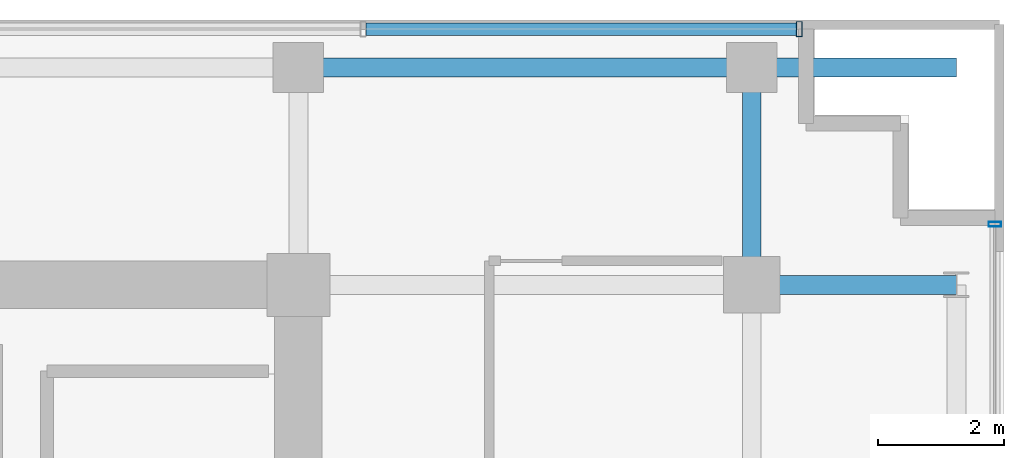
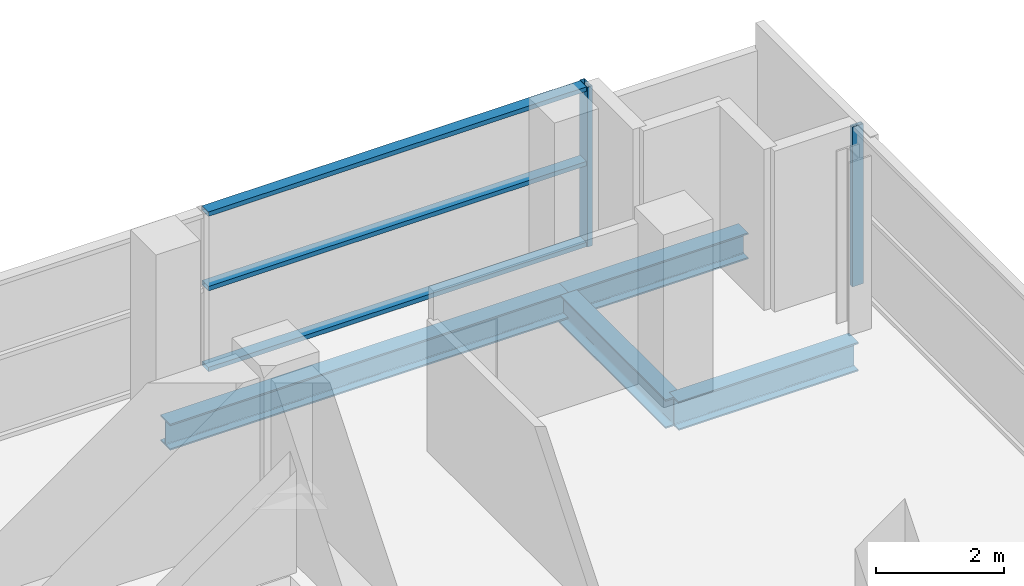
# One storey, part 18 of 28: 5 members, 4 beams, 2 elements without a shape of their own.
"""IFC4 building model written with IfcOpenShell, lengths in metres."""

from ifc_helpers import new_model, si_unit, direction, frame, origin, origin_2d, place, context, subcontext, project, spatial, hollow_rectangle, i_section, extrude, source, transform, mapped, material, layer, layer_set, material_profile, profile_set, type_object, element, aggregate, save


model = new_model("IFC4")

# Units and contexts
model_context = context("Model", 3, precision=1e-05, world=origin(), true_north=direction((0.0, 1.0)))
body_context = subcontext(model_context, "Body", "Model", "MODEL_VIEW")
ifc_project = project(units=[si_unit("LENGTHUNIT", "METRE"), si_unit("AREAUNIT", "SQUARE_METRE"), si_unit("VOLUMEUNIT", "CUBIC_METRE"), si_unit("PLANEANGLEUNIT", "RADIAN"), si_unit("MASSUNIT", "GRAM", prefix="KILO")], contexts=[model_context])

# Site, building, storey
site_placement = place(None, origin())
site = spatial("IfcSite", under=ifc_project, at=site_placement, CompositionType="ELEMENT")
building_placement = place(site_placement, origin())
building = spatial("IfcBuilding", under=site, at=building_placement, Name="Zarnakvel Exchange Tower", CompositionType="ELEMENT")
storey_placement = place(building_placement, frame((0.0, 0.0, 109.89990234375)))
storey = spatial("IfcBuildingStorey", under=building, at=storey_placement, Name="L30", CompositionType="ELEMENT", Elevation=109.89990234375)

# Beams
ifc_material_1 = material(Name="Steel S355", Category="steel")
ifc_material_profile_1 = material_profile(ifc_material_1, i_section(OverallWidth=0.300048828125, OverallDepth=0.550048828125, WebThickness=0.014892578125, FlangeThickness=0.029052734375, FilletRadius=0.027099609375, at=origin_2d()))
ifc_profile_set_1 = profile_set([ifc_material_profile_1], Name="Steel S355")
beam_type_1 = type_object("IfcBeamType", Name="G-05", PredefinedType="BEAM", material=ifc_profile_set_1)
beam_1_placement = place(storey_placement, frame((21.60009765625, 13.5, -0.5), z_axis=(1.0, 0.0, 0.0), x_axis=(0.0, 1.0, 0.0)))
element("IfcBeam", 1, at=beam_1_placement, inside=storey, type_object=beam_type_1, Name="L30 Tower E-W Frame Beam", PredefinedType="BEAM", context=body_context, shape_type="SweptSolid", body=[
    extrude(i_section(OverallWidth=0.300048828125, OverallDepth=0.550048828125, WebThickness=0.014892578125, FlangeThickness=0.029052734375, FilletRadius=0.027099609375, at=origin_2d()), origin(), (0.0, 0.0, 1.0), 3.25),
])
beam_2_placement = place(storey_placement, frame((21.60009765625, 13.5, -0.5), z_axis=(0.0, 1.0, 0.0), x_axis=(-1.0, 0.0, 0.0)))
element("IfcBeam", 2, at=beam_2_placement, inside=storey, type_object=beam_type_1, Name="L30 Tower N-S Frame Beam", PredefinedType="BEAM", context=body_context, shape_type="SweptSolid", body=[
    extrude(i_section(OverallWidth=0.300048828125, OverallDepth=0.550048828125, WebThickness=0.014892578125, FlangeThickness=0.029052734375, FilletRadius=0.027099609375, at=origin_2d()), origin(), (0.0, 0.0, 1.0), 3.449951171875),
])
ifc_material_profile_2 = material_profile(ifc_material_1, i_section(OverallWidth=0.300048828125, OverallDepth=0.5, WebThickness=0.014404296875, FlangeThickness=0.028076171875, FilletRadius=0.027099609375, at=origin_2d()))
ifc_profile_set_2 = profile_set([ifc_material_profile_2], Name="Steel S355")
beam_type_2 = type_object("IfcBeamType", Name="SP-02", PredefinedType="SPANDREL", material=ifc_profile_set_2)
beam_3_placement = place(storey_placement, frame((14.39990234375, 16.949951171875, -0.474853515625), z_axis=(1.0, 0.0, 0.0), x_axis=(0.0, 1.0, 0.0)))
element("IfcBeam", 3, at=beam_3_placement, inside=storey, type_object=beam_type_2, Name="L30 Tower E-W Frame Beam", PredefinedType="SPANDREL", context=body_context, shape_type="SweptSolid", body=[
    extrude(i_section(OverallWidth=0.300048828125, OverallDepth=0.5, WebThickness=0.014404296875, FlangeThickness=0.028076171875, FilletRadius=0.027099609375, at=origin_2d()), origin(), (0.0, 0.0, 1.0), 7.2001953125),
])
beam_4_placement = place(storey_placement, frame((21.60009765625, 16.949951171875, -0.474853515625), z_axis=(1.0, 0.0, 0.0), x_axis=(0.0, 1.0, 0.0)))
element("IfcBeam", 4, at=beam_4_placement, inside=storey, type_object=beam_type_2, Name="L30 North-East Corner Spandrel", PredefinedType="SPANDREL", context=body_context, shape_type="SweptSolid", body=[
    extrude(i_section(OverallWidth=0.300048828125, OverallDepth=0.5, WebThickness=0.014404296875, FlangeThickness=0.028076171875, FilletRadius=0.027099609375, at=origin_2d()), origin(), (0.0, 0.0, 1.0), 3.25),
])

# Curtain wall, member
ifc_material_2 = material(Name="Architectural Bronze Anodised Aluminium", Category="aluminium")
ifc_layer_1 = layer(ifc_material_2, 0.239990234375)
ifc_layer_set_1 = layer_set([ifc_layer_1], Name="Architectural Bronze Anodised Aluminium")
curtain_wall_type_1 = type_object("IfcCurtainWallType", Name="CW-02", PredefinedType="NOTDEFINED", material=ifc_layer_set_1)
curtain_wall_1_placement = place(storey_placement, origin())
curtain_wall_1 = element("IfcCurtainWall", 5, at=curtain_wall_1_placement, inside=storey, type_object=curtain_wall_type_1, Name="L30 Curtain Wall CW-L30-N1 (CW-02)", PredefinedType="NOTDEFINED")
ifc_material_profile_3 = material_profile(ifc_material_2, hollow_rectangle(XDim=0.239990234375, YDim=0.090087890625, WallThickness=0.006103515625, at=origin_2d()))
ifc_profile_set_3 = profile_set([ifc_material_profile_3], Name="Architectural Bronze Anodised Aluminium")
member_type_1 = type_object("IfcMemberType", Name="CWM-02", PredefinedType="MULLION", material=ifc_profile_set_3)
shared_shape_1 = source(origin(), body_context, "Body", "SweptSolid", [
    extrude(hollow_rectangle(XDim=0.239990234375, YDim=0.090087890625, WallThickness=0.006103515625, at=origin_2d()), origin(), (0.0, 0.0, 1.0), 3.05517578125),
])
member_1_placement = place(storey_placement, frame((22.35498046875, 17.56005859375, 0.0), z_axis=(0.0, 0.0, 1.0), x_axis=(0.0, 1.0, 0.0)))
member_1 = element("IfcMember", 6, at=member_1_placement, type_object=member_type_1, Name="CW-02 mullion 8", PredefinedType="MULLION", context=body_context, shape_type="MappedRepresentation", body=[
    mapped(shared_shape_1, transform((0.0, 0.0, 0.0), x_axis=(1.0, 0.0, 0.0), y_axis=(0.0, 1.0, 0.0), z_axis=(0.0, 0.0, 1.0), scale=1.0)),
])

ifc_layer_2 = layer(ifc_material_2, 0.199951171875)
ifc_layer_set_2 = layer_set([ifc_layer_2], Name="Architectural Bronze Anodised Aluminium")
curtain_wall_type_2 = type_object("IfcCurtainWallType", Name="CW-04", PredefinedType="NOTDEFINED", material=ifc_layer_set_2)
curtain_wall_2_placement = place(storey_placement, origin())
curtain_wall_2 = element("IfcCurtainWall", 7, at=curtain_wall_2_placement, inside=storey, type_object=curtain_wall_type_2, Name="L30 Curtain Wall CW-L30-E1 (CW-04)", PredefinedType="NOTDEFINED")
ifc_material_profile_4 = material_profile(ifc_material_2, hollow_rectangle(XDim=0.199951171875, YDim=0.074951171875, WallThickness=0.0048828125, at=origin_2d()))
ifc_profile_set_4 = profile_set([ifc_material_profile_4], Name="Architectural Bronze Anodised Aluminium")
member_type_2 = type_object("IfcMemberType", Name="CWM-04", PredefinedType="MULLION", material=ifc_profile_set_4)
shared_shape_2 = source(origin(), body_context, "Body", "SweptSolid", [
    extrude(hollow_rectangle(XDim=0.199951171875, YDim=0.074951171875, WallThickness=0.0048828125, at=origin_2d()), origin(), (0.0, 0.0, 1.0), 3.05517578125),
])
member_2_placement = place(storey_placement, frame((25.4599609375, 14.46240234375, 0.0), z_axis=(0.0, 0.0, 1.0), x_axis=(-1.0, 0.0, 0.0)))
member_2 = element("IfcMember", 8, at=member_2_placement, type_object=member_type_2, Name="CW-04 mullion 5", PredefinedType="MULLION", context=body_context, shape_type="MappedRepresentation", body=[
    mapped(shared_shape_2, transform((0.0, 0.0, 0.0), x_axis=(1.0, 0.0, 0.0), y_axis=(0.0, 1.0, 0.0), z_axis=(0.0, 0.0, 1.0), scale=1.0)),
])
aggregate(curtain_wall_2, [member_2])

# Member
ifc_material_profile_5 = material_profile(ifc_material_2, hollow_rectangle(XDim=0.199951171875, YDim=0.0849609375, WallThickness=0.0048828125, at=origin_2d()))
ifc_profile_set_5 = profile_set([ifc_material_profile_5], Name="Architectural Bronze Anodised Aluminium")
member_type_3 = type_object("IfcMemberType", Name="CWT-02", PredefinedType="USERDEFINED", material=ifc_profile_set_5)
shared_shape_3 = source(origin(), body_context, "Body", "SweptSolid", [
    extrude(hollow_rectangle(XDim=0.199951171875, YDim=0.0849609375, WallThickness=0.0048828125, at=origin_2d()), origin(), (0.0, 0.0, 1.0), 6.83642578125),
])
member_3_placement = place(storey_placement, frame((15.4736328125, 17.56005859375, 0.04248046875), z_axis=(1.0, 0.0, 0.0), x_axis=(0.0, 1.0, 0.0)))
member_3 = element("IfcMember", 9, at=member_3_placement, type_object=member_type_3, Name="CW-02 transom 7.1", ObjectType="TRANSOM", PredefinedType="USERDEFINED", context=body_context, shape_type="MappedRepresentation", body=[
    mapped(shared_shape_3, transform((0.0, 0.0, 0.0), x_axis=(1.0, 0.0, 0.0), y_axis=(0.0, 1.0, 0.0), z_axis=(0.0, 0.0, 1.0), scale=1.0)),
])

member_4_placement = place(storey_placement, frame((15.4736328125, 17.56005859375, 1.588623046875), z_axis=(1.0, 0.0, 0.0), x_axis=(0.0, 1.0, 0.0)))
member_4 = element("IfcMember", 10, at=member_4_placement, type_object=member_type_3, Name="CW-02 transom 7.2", ObjectType="TRANSOM", PredefinedType="USERDEFINED", context=body_context, shape_type="MappedRepresentation", body=[
    mapped(shared_shape_3, transform((0.0, 0.0, 0.0), x_axis=(1.0, 0.0, 0.0), y_axis=(0.0, 1.0, 0.0), z_axis=(0.0, 0.0, 1.0), scale=1.0)),
])

member_5_placement = place(storey_placement, frame((15.4736328125, 17.56005859375, 3.0126953125), z_axis=(1.0, 0.0, 0.0), x_axis=(0.0, 1.0, 0.0)))
member_5 = element("IfcMember", 11, at=member_5_placement, type_object=member_type_3, Name="CW-02 transom 7.3", ObjectType="TRANSOM", PredefinedType="USERDEFINED", context=body_context, shape_type="MappedRepresentation", body=[
    mapped(shared_shape_3, transform((0.0, 0.0, 0.0), x_axis=(1.0, 0.0, 0.0), y_axis=(0.0, 1.0, 0.0), z_axis=(0.0, 0.0, 1.0), scale=1.0)),
])

aggregate(curtain_wall_1, [member_1, member_3, member_4, member_5])

save(model, "model.ifc")
